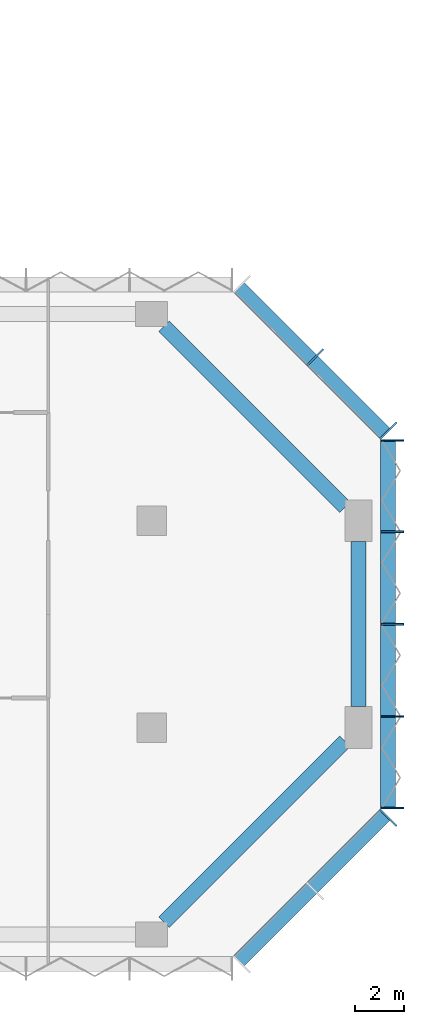
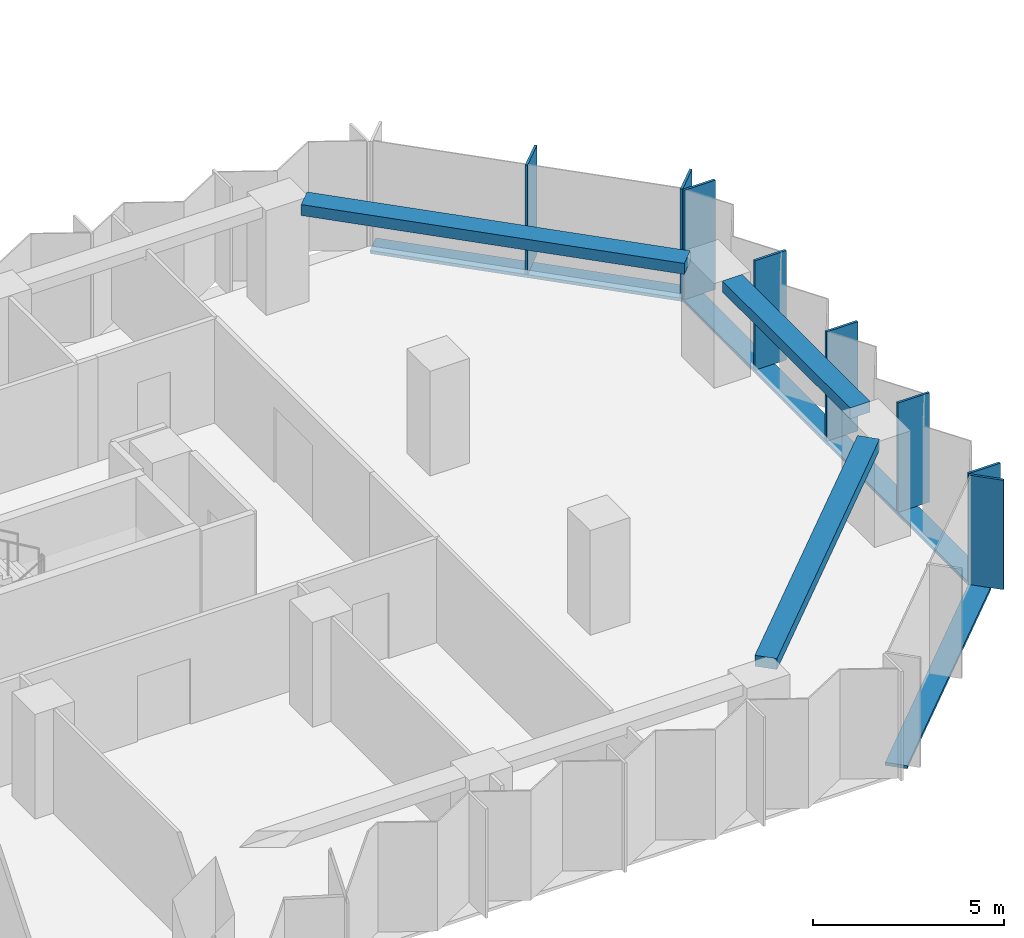
# One storey, part 4 of 13: 11 members, 3 beams, 3 elements without a shape of their own.
"""IFC4 building model written with IfcOpenShell, lengths in metres."""

from ifc_helpers import new_model, si_unit, direction, frame, origin, origin_2d, place, context, subcontext, project, spatial, rectangle, extrude, material, material_profile, profile_set, type_object, element, aggregate, save


model = new_model("IFC4")

# Units and contexts
model_context = context("Model", 3, precision=1e-05, world=origin(), true_north=direction((0.0, 1.0)))
body_context = subcontext(model_context, "Body", "Model", "MODEL_VIEW")
ifc_project = project(units=[si_unit("LENGTHUNIT", "METRE"), si_unit("AREAUNIT", "SQUARE_METRE"), si_unit("VOLUMEUNIT", "CUBIC_METRE"), si_unit("PLANEANGLEUNIT", "RADIAN"), si_unit("MASSUNIT", "GRAM", prefix="KILO")], contexts=[model_context])

# Site, building, storey
site_placement = place(None, origin())
site = spatial("IfcSite", under=ifc_project, at=site_placement, CompositionType="ELEMENT")
building_placement = place(site_placement, origin())
building = spatial("IfcBuilding", under=site, at=building_placement, Name="Brevane Broadcast Tower", CompositionType="ELEMENT")
storey_placement = place(building_placement, frame((0.0, 0.0, 127.699951171875)))
storey = spatial("IfcBuildingStorey", under=building, at=storey_placement, Name="L31", CompositionType="ELEMENT", Elevation=127.699951171875)

# Curtain wall, member
ifc_material_1 = material(Name="Aluminium 6063-T6 bronze anodised", Category="aluminium")
curtain_wall_type = type_object("IfcCurtainWallType", Name="CW-1 curtain wall", PredefinedType="NOTDEFINED", material=ifc_material_1)
curtain_wall_1_placement = place(storey_placement, origin())
curtain_wall_1 = element("IfcCurtainWall", 1, at=curtain_wall_1_placement, inside=storey, type_object=curtain_wall_type, Name="CW-1 typical tilted unit L31 south-east chamfer", PredefinedType="NOTDEFINED")
ifc_material_profile_1 = material_profile(ifc_material_1, rectangle(XDim=0.949951171875, YDim=0.070068359375, at=origin_2d()), Name="RECT 70x950")
ifc_profile_set_1 = profile_set([ifc_material_profile_1], Name="Aluminium 6063-T6 bronze anodised")
member_type_1 = type_object("IfcMemberType", Name="CW-1 mullion 70x950", PredefinedType="MULLION", material=ifc_profile_set_1)
member_1_placement = place(storey_placement, frame((68.4111328125, 4.7392578125, -0.14990234375), z_axis=(0.0, 0.0, 1.0), x_axis=(-0.707106781187, 0.707106781187, 0.0)))
member_1 = element("IfcMember", 2, at=member_1_placement, type_object=member_type_1, Name="CW-1 mullion", PredefinedType="MULLION", context=body_context, shape_type="SweptSolid", body=[
    extrude(rectangle(XDim=0.949951171875, YDim=0.070068359375, at=origin_2d()), origin(), (0.0, 0.0, 1.0), 3.5),
])

# Curtain wall, members
curtain_wall_2_placement = place(storey_placement, origin())
curtain_wall_2 = element("IfcCurtainWall", 3, at=curtain_wall_2_placement, inside=storey, type_object=curtain_wall_type, Name="CW-1 typical tilted unit L31 east end", PredefinedType="NOTDEFINED")
member_2_placement = place(storey_placement, frame((68.574951171875, 5.135009765625, -0.14990234375), z_axis=(0.0, 0.0, 1.0), x_axis=(-1.0, 0.0, 0.0)))
member_2 = element("IfcMember", 4, at=member_2_placement, type_object=member_type_1, Name="CW-1 mullion", PredefinedType="MULLION", context=body_context, shape_type="SweptSolid", body=[
    extrude(rectangle(XDim=0.949951171875, YDim=0.070068359375, at=origin_2d()), origin(), (0.0, 0.0, 1.0), 3.5),
])
member_3_placement = place(storey_placement, frame((68.574951171875, 8.85009765625, -0.14990234375), z_axis=(0.0, 0.0, 1.0), x_axis=(-1.0, 0.0, 0.0)))
member_3 = element("IfcMember", 5, at=member_3_placement, type_object=member_type_1, Name="CW-1 mullion", PredefinedType="MULLION", context=body_context, shape_type="SweptSolid", body=[
    extrude(rectangle(XDim=0.949951171875, YDim=0.070068359375, at=origin_2d()), origin(), (0.0, 0.0, 1.0), 3.5),
])
member_4_placement = place(storey_placement, frame((68.574951171875, 12.60009765625, -0.14990234375), z_axis=(0.0, 0.0, 1.0), x_axis=(-1.0, 0.0, 0.0)))
member_4 = element("IfcMember", 6, at=member_4_placement, type_object=member_type_1, Name="CW-1 mullion", PredefinedType="MULLION", context=body_context, shape_type="SweptSolid", body=[
    extrude(rectangle(XDim=0.949951171875, YDim=0.070068359375, at=origin_2d()), origin(), (0.0, 0.0, 1.0), 3.5),
])
member_5_placement = place(storey_placement, frame((68.574951171875, 16.35009765625, -0.14990234375), z_axis=(0.0, 0.0, 1.0), x_axis=(-1.0, 0.0, 0.0)))
member_5 = element("IfcMember", 7, at=member_5_placement, type_object=member_type_1, Name="CW-1 mullion", PredefinedType="MULLION", context=body_context, shape_type="SweptSolid", body=[
    extrude(rectangle(XDim=0.949951171875, YDim=0.070068359375, at=origin_2d()), origin(), (0.0, 0.0, 1.0), 3.5),
])
member_6_placement = place(storey_placement, frame((68.574951171875, 20.06494140625, -0.14990234375), z_axis=(0.0, 0.0, 1.0), x_axis=(-1.0, 0.0, 0.0)))
member_6 = element("IfcMember", 8, at=member_6_placement, type_object=member_type_1, Name="CW-1 mullion", PredefinedType="MULLION", context=body_context, shape_type="SweptSolid", body=[
    extrude(rectangle(XDim=0.949951171875, YDim=0.070068359375, at=origin_2d()), origin(), (0.0, 0.0, 1.0), 3.5),
])

curtain_wall_3_placement = place(storey_placement, origin())
curtain_wall_3 = element("IfcCurtainWall", 9, at=curtain_wall_3_placement, inside=storey, type_object=curtain_wall_type, Name="CW-1 typical tilted unit L31 north-east chamfer", PredefinedType="NOTDEFINED")
member_7_placement = place(storey_placement, frame((68.4111328125, 20.460693359375, -0.14990234375), z_axis=(0.0, 0.0, 1.0), x_axis=(-0.707106781187, -0.707106781187, 0.0)))
member_7 = element("IfcMember", 10, at=member_7_placement, type_object=member_type_1, Name="CW-1 mullion", PredefinedType="MULLION", context=body_context, shape_type="SweptSolid", body=[
    extrude(rectangle(XDim=0.949951171875, YDim=0.070068359375, at=origin_2d()), origin(), (0.0, 0.0, 1.0), 3.5),
])
member_8_placement = place(storey_placement, frame((65.435791015625, 23.435791015625, -0.14990234375), z_axis=(0.0, 0.0, 1.0), x_axis=(-0.707106781187, -0.707106781187, 0.0)))
member_8 = element("IfcMember", 11, at=member_8_placement, type_object=member_type_1, Name="CW-1 mullion", PredefinedType="MULLION", context=body_context, shape_type="SweptSolid", body=[
    extrude(rectangle(XDim=0.949951171875, YDim=0.070068359375, at=origin_2d()), origin(), (0.0, 0.0, 1.0), 3.5),
])

# Member
ifc_material_profile_2 = material_profile(ifc_material_1, rectangle(XDim=0.60009765625, YDim=0.10009765625, at=origin_2d()), Name="RECT 100x600")
ifc_profile_set_2 = profile_set([ifc_material_profile_2], Name="Aluminium 6063-T6 bronze anodised")
member_type_2 = type_object("IfcMemberType", Name="CW-1 transom 100x600", PredefinedType="USERDEFINED", material=ifc_profile_set_2)
member_9_placement = place(storey_placement, frame((62.31201171875, -1.112060546875, -0.199951171875), z_axis=(0.707106781187, 0.707106781187, 0.0), x_axis=(-0.707106781187, 0.707106781187, 0.0)))
member_9 = element("IfcMember", 12, at=member_9_placement, type_object=member_type_2, Name="CW-1 transom", ObjectType="TRANSOM", PredefinedType="USERDEFINED", context=body_context, shape_type="SweptSolid", body=[
    extrude(rectangle(XDim=0.60009765625, YDim=0.10009765625, at=origin_2d()), origin(), (0.0, 0.0, 1.0), 8.4853515625),
])

aggregate(curtain_wall_1, [member_1, member_9])

member_10_placement = place(storey_placement, frame((68.39990234375, 5.10009765625, -0.199951171875), z_axis=(0.0, 1.0, 0.0), x_axis=(-1.0, 0.0, 0.0)))
member_10 = element("IfcMember", 13, at=member_10_placement, type_object=member_type_2, Name="CW-1 transom", ObjectType="TRANSOM", PredefinedType="USERDEFINED", context=body_context, shape_type="SweptSolid", body=[
    extrude(rectangle(XDim=0.60009765625, YDim=0.10009765625, at=origin_2d()), origin(), (0.0, 0.0, 1.0), 15.0),
])

aggregate(curtain_wall_2, [member_2, member_3, member_4, member_5, member_6, member_10])

member_11_placement = place(storey_placement, frame((68.31201171875, 20.31201171875, -0.199951171875), z_axis=(-0.707106781187, 0.707106781187, 0.0), x_axis=(-0.707106781187, -0.707106781187, 0.0)))
member_11 = element("IfcMember", 14, at=member_11_placement, type_object=member_type_2, Name="CW-1 transom", ObjectType="TRANSOM", PredefinedType="USERDEFINED", context=body_context, shape_type="SweptSolid", body=[
    extrude(rectangle(XDim=0.60009765625, YDim=0.10009765625, at=origin_2d()), origin(), (0.0, 0.0, 1.0), 8.4853515625),
])

aggregate(curtain_wall_3, [member_7, member_8, member_11])

# Beams
ifc_material_2 = material(Name="Concrete C40/50", Category="concrete")
ifc_material_profile_3 = material_profile(ifc_material_2, rectangle(XDim=0.60009765625, YDim=0.35009765625, at=origin_2d()), Name="RC 600x350")
ifc_profile_set_3 = profile_set([ifc_material_profile_3], Name="Concrete C40/50")
beam_type = type_object("IfcBeamType", Name="RC SPANDREL BEAM 600x350 C40/50", PredefinedType="SPANDREL", material=ifc_profile_set_3)
beam_1_placement = place(storey_placement, frame((59.300048828125, 0.5, 3.175048828125), z_axis=(0.707095037275, 0.707118524903, 0.0), x_axis=(-0.707118524903, 0.707095037275, 0.0)))
element("IfcBeam", 15, at=beam_1_placement, inside=storey, type_object=beam_type, Name="EB1 L31-5", PredefinedType="SPANDREL", context=body_context, shape_type="SweptSolid", body=[
    extrude(rectangle(XDim=0.60009765625, YDim=0.35009765625, at=origin_2d()), origin(), (0.0, 0.0, 1.0), 10.39453125),
])
beam_2_placement = place(storey_placement, frame((67.199951171875, 9.25, 3.175048828125), z_axis=(0.0, 1.0, 0.0), x_axis=(-1.0, 0.0, 0.0)))
element("IfcBeam", 16, at=beam_2_placement, inside=storey, type_object=beam_type, Name="EB1 L31-6", PredefinedType="SPANDREL", context=body_context, shape_type="SweptSolid", body=[
    extrude(rectangle(XDim=0.60009765625, YDim=0.35009765625, at=origin_2d()), origin(), (0.0, 0.0, 1.0), 6.699951171875),
])
beam_3_placement = place(storey_placement, frame((66.64990234375, 17.35009765625, 3.175048828125), z_axis=(-0.707106781187, 0.707106781187, 0.0), x_axis=(-0.707106781187, -0.707106781187, 0.0)))
element("IfcBeam", 17, at=beam_3_placement, inside=storey, type_object=beam_type, Name="EB1 L31-7", PredefinedType="SPANDREL", context=body_context, shape_type="SweptSolid", body=[
    extrude(rectangle(XDim=0.60009765625, YDim=0.35009765625, at=origin_2d()), origin(), (0.0, 0.0, 1.0), 10.394287109375),
])

save(model, "model.ifc")
